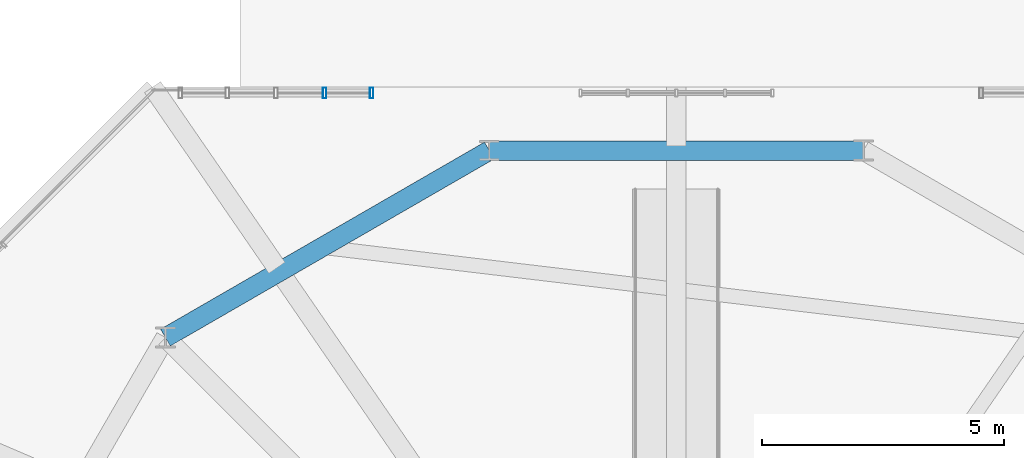
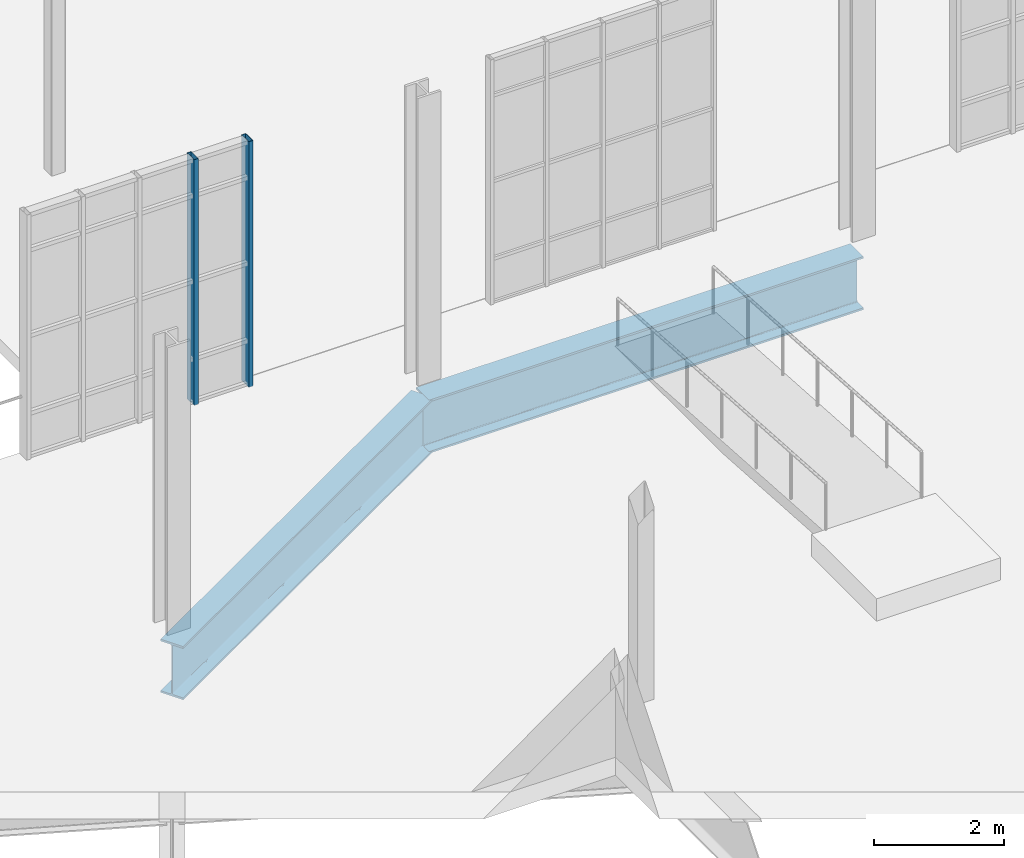
# One storey, part 61 of 189: 2 beams, 2 members, 1 element without a shape of its own.
"""IFC4 building model written with IfcOpenShell, lengths in metres."""

import ifcopenshell
import ifcopenshell.guid

model = None  # the IFC model being written
_history = None  # IfcOwnerHistory: only IFC2X3 demands one
_inside = {}  # id of a spatial element -> (the spatial element, [elements in it])
_under = {}  # id of a project, library or spatial element -> (it, [spatial elements below it])
_declared = {}  # id of a project -> (the project, [libraries it declares])
_typed = {}  # id of a type object -> (the type object, [elements of that type])
_made_of = {}  # id of a material, layer set ... -> (it, [elements and type objects made of it])


def new_model(schema):
    """Start an empty IFC model of exactly this schema.

    Asked for "IFC4X3", IfcOpenShell would pick the latest addendum, in which some entities
    have other attributes; the version numbers below select the first issue.
    IFC2X3 requires an IfcOwnerHistory on every rooted entity: one is made here for all.
    """
    global model, _history
    if schema == "IFC4X3":
        model = ifcopenshell.file(schema_version=(4, 3, 0, 0))
    else:
        model = ifcopenshell.file(schema=schema)
    _inside.clear()
    _under.clear()
    _declared.clear()
    _typed.clear()
    _made_of.clear()
    _history = None
    if model.schema == "IFC2X3":
        org = make("IfcOrganization", Name="unknown")
        user = make(
            "IfcPersonAndOrganization",
            ThePerson=make("IfcPerson", FamilyName="unknown"),
            TheOrganization=org,
        )
        app = make(
            "IfcApplication",
            ApplicationDeveloper=org,
            Version="unknown",
            ApplicationFullName="unknown",
            ApplicationIdentifier="unknown",
        )
        _history = make(
            "IfcOwnerHistory",
            OwningUser=user,
            OwningApplication=app,
            ChangeAction="ADDED",
            CreationDate=0,
        )
    return model


def make(cls, **values):
    """One entity of the class cls with the attributes given. An attribute that is None is left unset."""
    return model.create_entity(
        cls, **{name: value for name, value in values.items() if value is not None}
    )


def rooted(cls, **values):
    """An entity with a GlobalId (a new one), such as an element, a storey or a relation."""
    return make(cls, GlobalId=ifcopenshell.guid.new(), OwnerHistory=_history, **values)


def si_unit(unit_type, name, prefix=None):
    """IfcSIUnit, for example si_unit("LENGTHUNIT", "METRE", prefix="MILLI")."""
    return make("IfcSIUnit", UnitType=unit_type, Prefix=prefix, Name=name)


def assignment(units):
    """IfcUnitAssignment: the units of a project."""
    return None if units is None else make("IfcUnitAssignment", Units=units)


def point(xyz):
    """IfcCartesianPoint."""
    return None if xyz is None else make("IfcCartesianPoint", Coordinates=xyz)


def direction(xyz):
    """IfcDirection."""
    return None if xyz is None else make("IfcDirection", DirectionRatios=xyz)


def frame(location, z_axis=None, x_axis=None):
    """IfcAxis2Placement3D, a coordinate frame: its origin and axes. An axis left out is left unset."""
    return make(
        "IfcAxis2Placement3D",
        Location=point(location),
        Axis=direction(z_axis),
        RefDirection=direction(x_axis),
    )


def frame_2d(location, x_axis=None):
    """IfcAxis2Placement2D, a coordinate frame in the plane: its origin and x axis."""
    return make(
        "IfcAxis2Placement2D", Location=point(location), RefDirection=direction(x_axis)
    )


def origin():
    """The frame at (0, 0, 0) with its axes left unset."""
    return frame((0.0, 0.0, 0.0))


def origin_2d():
    """The frame at (0, 0) in the plane with its x axis left unset."""
    return frame_2d((0.0, 0.0))


def place(relative_to, where):
    """IfcLocalPlacement: puts the frame where relative to a parent placement (None: the world)."""
    return make(
        "IfcLocalPlacement", PlacementRelTo=relative_to, RelativePlacement=where
    )


def context(
    kind, dimensions, precision=None, world=None, true_north=None, identifier=None
):
    """IfcGeometricRepresentationContext, for example the 3D "Model" context."""
    return make(
        "IfcGeometricRepresentationContext",
        ContextIdentifier=identifier,
        ContextType=kind,
        CoordinateSpaceDimension=dimensions,
        Precision=precision,
        WorldCoordinateSystem=world,
        TrueNorth=true_north,
    )


def subcontext(parent, identifier, kind, view, scale=None):
    """IfcGeometricRepresentationSubContext, for example "Body" below "Model"."""
    return make(
        "IfcGeometricRepresentationSubContext",
        ContextIdentifier=identifier,
        ContextType=kind,
        ParentContext=parent,
        TargetScale=scale,
        TargetView=view,
    )


def project(units=None, contexts=None):
    """IfcProject with its units and contexts."""
    return rooted(
        "IfcProject",
        Name="project",
        RepresentationContexts=contexts,
        UnitsInContext=assignment(units),
    )


def spatial(cls, under=None, at=None, **own):
    """A site, building, storey or space (cls), placed at a placement, below another one or the project."""
    s = rooted(cls, ObjectPlacement=at, **own)
    if under is not None:
        _under.setdefault(under.id(), (under, []))[1].append(s)
    return s


def profile(cls, at=None, kind="AREA", **sizes):
    """A parametric profile (cls). Its sizes go by their IFC names, for example OverallWidth=200.0."""
    return make(cls, ProfileType=kind, Position=at, **sizes)


def hollow_rectangle(**sizes):
    """IfcRectangleHollowProfileDef."""
    return profile("IfcRectangleHollowProfileDef", **sizes)


def i_section(**sizes):
    """IfcIShapeProfileDef."""
    return profile("IfcIShapeProfileDef", **sizes)


def extrude(swept, where, along, depth):
    """IfcExtrudedAreaSolid: the profile swept, set in the frame where, extruded along a direction by depth."""
    return make(
        "IfcExtrudedAreaSolid",
        SweptArea=swept,
        Position=where,
        ExtrudedDirection=direction(along),
        Depth=depth,
    )


def shape(context_of_items, identifier, shape_type, items):
    """IfcShapeRepresentation: the items that make up one representation, for example the "Body"."""
    return make(
        "IfcShapeRepresentation",
        ContextOfItems=context_of_items,
        RepresentationIdentifier=identifier,
        RepresentationType=shape_type,
        Items=items,
    )


def material(Name=None, Category=None):
    """IfcMaterial."""
    return make("IfcMaterial", Name=Name, Category=Category)


def layer(
    of_material, thickness, ventilated=None, Name=None, Category=None, Priority=None
):
    """IfcMaterialLayer: one layer of a wall or slab, of a material (None: an air gap)."""
    return make(
        "IfcMaterialLayer",
        Material=of_material,
        LayerThickness=thickness,
        IsVentilated=ventilated,
        Name=Name,
        Category=Category,
        Priority=Priority,
    )


def layer_set(layers, Name=None):
    """IfcMaterialLayerSet."""
    return make("IfcMaterialLayerSet", MaterialLayers=layers, LayerSetName=Name)


def material_profile(
    of_material, cross_section, Name=None, Category=None, Priority=None
):
    """IfcMaterialProfile: a cross section and its material."""
    return make(
        "IfcMaterialProfile",
        Name=Name,
        Material=of_material,
        Profile=cross_section,
        Priority=Priority,
        Category=Category,
    )


def profile_set(profiles, Name=None, composite=None):
    """IfcMaterialProfileSet."""
    return make(
        "IfcMaterialProfileSet",
        Name=Name,
        MaterialProfiles=profiles,
        CompositeProfile=composite,
    )


def made_of(thing, what):
    """Note that an element or type object is made of a material, layer set ...; save() writes the relation."""
    if what is not None:
        _made_of.setdefault(what.id(), (what, []))[1].append(thing)
    return thing


def type_object(cls, material=None, **own):
    """A type object (cls), such as IfcWallType, which elements share."""
    return made_of(rooted(cls, **own), material)


def element(
    cls,
    number,
    at=None,
    inside=None,
    cuts=None,
    type_object=None,
    material=None,
    context=None,
    identifier="Body",
    shape_type=None,
    held_by="IfcProductDefinitionShape",
    body=None,
    shapes=None,
    **own,
):
    """One element of the class cls, such as IfcWall. Its Tag is "e" and its number.

    at: its placement. inside: the storey or other place that contains it. cuts: it is an
    opening in that element (IfcRelVoidsElement). A single representation is given by context,
    identifier, shape_type and body (its items); several are given by shapes. held_by: the class
    of the entity that holds the representations. save() writes the other relations.
    """
    e = rooted(cls, Tag="e%d" % number, ObjectPlacement=at, **own)
    if body is not None:
        shapes = [shape(context, identifier, shape_type, body)]
    if shapes is not None:
        e.Representation = make(held_by, Representations=shapes)
    if inside is not None:
        _inside.setdefault(inside.id(), (inside, []))[1].append(e)
    if cuts is not None:
        rooted(
            "IfcRelVoidsElement", RelatingBuildingElement=cuts, RelatedOpeningElement=e
        )
    if type_object is not None:
        _typed.setdefault(type_object.id(), (type_object, []))[1].append(e)
    return made_of(e, material)


def aggregate(whole, parts):
    """IfcRelAggregates: a whole, such as a stair, and the parts it consists of."""
    return rooted("IfcRelAggregates", RelatingObject=whole, RelatedObjects=parts)


def save(model, path):
    """Write the relations noted so far, then the file.

    IfcRelAggregates (storeys below a building ...), IfcRelContainedInSpatialStructure (elements
    in a storey), IfcRelDefinesByType, IfcRelAssociatesMaterial and IfcRelDeclares: one each for
    every whole, place, type object, material and project.
    """
    for whole, parts in _under.values():
        aggregate(whole, parts)
    for where, things in _inside.values():
        rooted(
            "IfcRelContainedInSpatialStructure",
            RelatedElements=things,
            RelatingStructure=where,
        )
    for kind, things in _typed.values():
        rooted("IfcRelDefinesByType", RelatedObjects=things, RelatingType=kind)
    for what, things in _made_of.values():
        rooted("IfcRelAssociatesMaterial", RelatedObjects=things, RelatingMaterial=what)
    for by, libraries in _declared.values():
        rooted("IfcRelDeclares", RelatingContext=by, RelatedDefinitions=libraries)
    model.write(path)


model = new_model("IFC4")

# Units and contexts
model_context = context("Model", 3, precision=1e-05, world=origin(), true_north=direction((0.0, 1.0)))
body_context = subcontext(model_context, "Body", "Model", "MODEL_VIEW")
ifc_project = project(units=[si_unit("LENGTHUNIT", "METRE"), si_unit("AREAUNIT", "SQUARE_METRE"), si_unit("VOLUMEUNIT", "CUBIC_METRE"), si_unit("PLANEANGLEUNIT", "RADIAN"), si_unit("MASSUNIT", "GRAM", prefix="KILO"), si_unit("THERMODYNAMICTEMPERATUREUNIT", "KELVIN"), si_unit("POWERUNIT", "WATT")], contexts=[model_context])

# Site, building, storey
site_placement = place(None, origin())
site = spatial("IfcSite", under=ifc_project, at=site_placement, CompositionType="ELEMENT")
building_placement = place(site_placement, origin())
building = spatial("IfcBuilding", under=site, at=building_placement, Name="Zelmaris Science Centre", CompositionType="ELEMENT")
storey_placement = place(building_placement, origin())
storey = spatial("IfcBuildingStorey", under=building, at=storey_placement, Name="L00", CompositionType="ELEMENT", Elevation=0.0)

# Curtain wall, members
ifc_material_1 = material(Name="Anodised architectural aluminium 6063-T6", Category="aluminium")
ifc_layer = layer(ifc_material_1, 0.199951171875, Name="Anodised architectural aluminium 6063-T6")
ifc_layer_set = layer_set([ifc_layer], Name="Anodised architectural aluminium 6063-T6")
curtain_wall_type = type_object("IfcCurtainWallType", Name="Curtain Wall CW-02", PredefinedType="USERDEFINED", material=ifc_layer_set)
curtain_wall_placement = place(storey_placement, origin())
curtain_wall = element("IfcCurtainWall", 1, at=curtain_wall_placement, inside=storey, type_object=curtain_wall_type, Name="L00 Unitised curtain wall 54", ObjectType="GLAZED CURTAIN WALL", PredefinedType="USERDEFINED")
ifc_material_profile_1 = material_profile(ifc_material_1, hollow_rectangle(XDim=0.074951171875, YDim=0.219970703125, WallThickness=0.0048828125, at=origin_2d()), Name="ALU-MUL-75X220")
ifc_profile_set_1 = profile_set([ifc_material_profile_1], Name="Anodised architectural aluminium 6063-T6")
member_type = type_object("IfcMemberType", Name="ALU-MUL-75X220", PredefinedType="MULLION", material=ifc_profile_set_1)
member_1_placement = place(storey_placement, frame((73.747314453125, 51.580078125, -0.014892578125), z_axis=(0.0, 0.0, 1.0), x_axis=(0.999999999994, -3.490659e-06, 0.0)))
member_1 = element("IfcMember", 2, at=member_1_placement, type_object=member_type, Name="CW-02 mullion 4", PredefinedType="MULLION", context=body_context, shape_type="SweptSolid", body=[
    extrude(hollow_rectangle(XDim=0.074951171875, YDim=0.219970703125, WallThickness=0.0048828125, at=origin_2d()), origin(), (0.0, 0.0, 1.0), 4.614990234375),
])
member_2_placement = place(storey_placement, frame((74.7158203125, 51.580078125, -0.014892578125), z_axis=(0.0, 0.0, 1.0), x_axis=(0.999999999994, -3.490659e-06, 0.0)))
member_2 = element("IfcMember", 3, at=member_2_placement, type_object=member_type, Name="CW-02 mullion 5", PredefinedType="MULLION", context=body_context, shape_type="SweptSolid", body=[
    extrude(hollow_rectangle(XDim=0.074951171875, YDim=0.219970703125, WallThickness=0.0048828125, at=origin_2d()), origin(), (0.0, 0.0, 1.0), 4.614990234375),
])
aggregate(curtain_wall, [member_1, member_2])

# Beams
ifc_material_2 = material(Name="Steel ASTM A992 Grade 50", Category="steel")
ifc_material_profile_2 = material_profile(ifc_material_2, i_section(OverallWidth=0.40087890625, OverallDepth=1.0009765625, WebThickness=0.01904296875, FlangeThickness=0.0361328125, FilletRadius=0.02490234375, at=origin_2d()), Name="W40X249")
ifc_profile_set_2 = profile_set([ifc_material_profile_2], Name="Steel ASTM A992 Grade 50")
beam_type = type_object("IfcBeamType", Name="Beam G-22 W40X249", PredefinedType="BEAM", material=ifc_profile_set_2)
for number, where, z_axis, x_axis, name in (
    (4, (84.8564453125, 50.392333984375, -0.840576171875), (-1.0, 0.0, 0.0), (0.0, -1.0, 0.0), "L00 Exhibition inner ring girder 3"),
    (5, (77.1435546875, 50.392333984375, -0.840576171875), (-0.866021648359, -0.500006504531, 0.0), (0.500006504531, -0.866021648359, 0.0), "L00 Exhibition inner ring girder 4"),
):
    element("IfcBeam", number, at=place(storey_placement, frame(where, z_axis=z_axis, x_axis=x_axis)), inside=storey, type_object=beam_type, Name=name, PredefinedType="BEAM", context=body_context, shape_type="SweptSolid", body=[
        extrude(i_section(OverallWidth=0.40087890625, OverallDepth=1.0009765625, WebThickness=0.01904296875, FlangeThickness=0.0361328125, FilletRadius=0.02490234375, at=origin_2d()), origin(), (0.0, 0.0, 1.0), 7.712890625),
    ])

save(model, "model.ifc")
